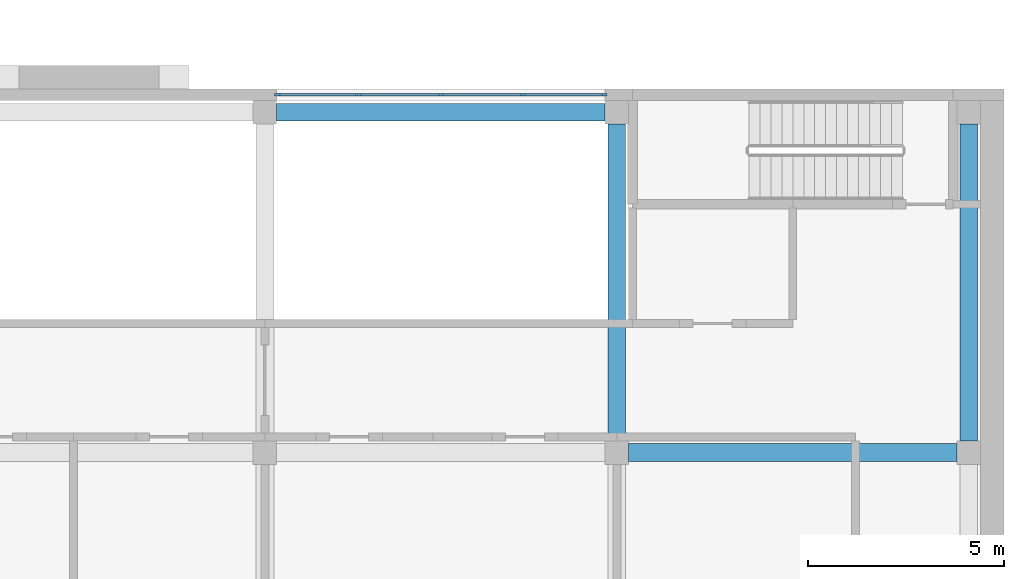
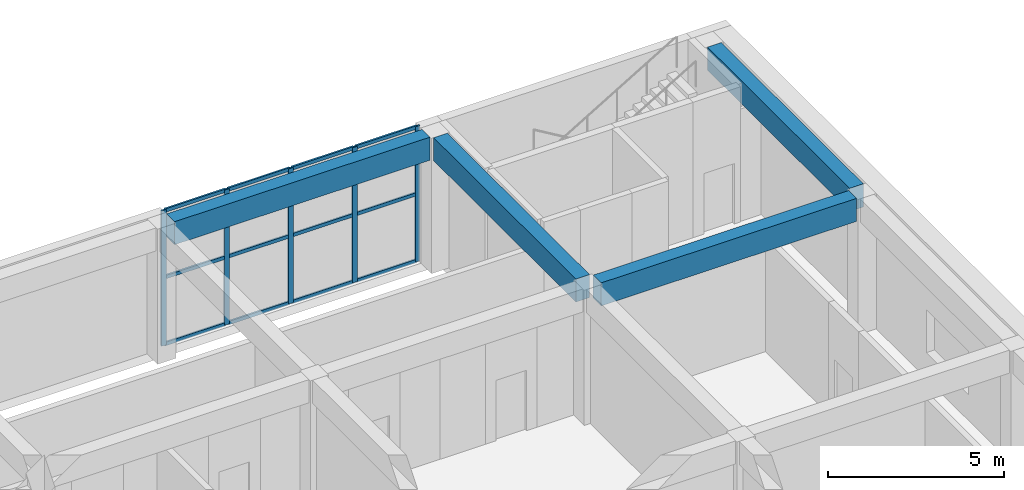
# One storey, part 7 of 25: 17 members, 4 beams, 1 element without a shape of its own.
"""IFC4 building model written with IfcOpenShell, lengths in metres."""

from ifc_helpers import new_model, si_unit, direction, frame, origin, origin_2d, place, context, subcontext, project, spatial, rectangle, extrude, material, material_profile, profile_set, type_object, element, aggregate, save


model = new_model("IFC4")

# Units and contexts
model_context = context("Model", 3, precision=1e-05, world=origin(), true_north=direction((0.0, 1.0)))
body_context = subcontext(model_context, "Body", "Model", "MODEL_VIEW")
ifc_project = project(units=[si_unit("LENGTHUNIT", "METRE"), si_unit("AREAUNIT", "SQUARE_METRE"), si_unit("VOLUMEUNIT", "CUBIC_METRE"), si_unit("PLANEANGLEUNIT", "RADIAN"), si_unit("MASSUNIT", "GRAM", prefix="KILO")], contexts=[model_context])

# Site, building, storey
site_placement = place(None, origin())
site = spatial("IfcSite", under=ifc_project, at=site_placement, CompositionType="ELEMENT")
building_placement = place(site_placement, origin())
building = spatial("IfcBuilding", under=site, at=building_placement, Name="Girih Gate Residences", CompositionType="ELEMENT")
storey_placement = place(building_placement, frame((0.0, 0.0, 6.0)))
storey = spatial("IfcBuildingStorey", under=building, at=storey_placement, Name="L01", CompositionType="ELEMENT", Elevation=6.0)

# Beams
ifc_material_1 = material(Name="Concrete C40/50", Category="concrete")
ifc_material_profile_1 = material_profile(ifc_material_1, rectangle(XDim=0.449951171875, YDim=0.800048828125, at=origin_2d()))
ifc_profile_set_1 = profile_set([ifc_material_profile_1], Name="Concrete C40/50")
beam_type = type_object("IfcBeamType", Name="HC Beam 450x800 C40/50", PredefinedType="BEAM", material=ifc_profile_set_1)
for number, where, z_axis, x_axis, name in (
    (1, (80.75, 35.699951171875, 4.300048828125), (1.0, 0.0, 0.0), (0.0, 1.0, 0.0), "L01 beam HD.4"),
    (2, (71.75, 44.39990234375, 4.300048828125), (1.0, 0.0, 0.0), (0.0, 1.0, 0.0), "L01 beam HE.3"),
):
    element("IfcBeam", number, at=place(storey_placement, frame(where, z_axis=z_axis, x_axis=x_axis)), inside=storey, type_object=beam_type, Name=name, PredefinedType="BEAM", context=body_context, shape_type="SweptSolid", body=[
        extrude(rectangle(XDim=0.449951171875, YDim=0.800048828125, at=origin_2d()), origin(), (0.0, 0.0, 1.0), 8.39990234375),
    ])
for number, where, z_axis, x_axis, name in (
    (3, (80.449951171875, 36.0, 4.300048828125), (0.0, 1.0, 0.0), (-1.0, 0.0, 0.0), "L01 beam H4.4"),
    (4, (89.449951171875, 36.0, 4.300048828125), (0.0, 1.0, 0.0), (-1.0, 0.0, 0.0), "L01 beam H5.4"),
):
    element("IfcBeam", number, at=place(storey_placement, frame(where, z_axis=z_axis, x_axis=x_axis)), inside=storey, type_object=beam_type, Name=name, PredefinedType="BEAM", context=body_context, shape_type="SweptSolid", body=[
        extrude(rectangle(XDim=0.449951171875, YDim=0.800048828125, at=origin_2d()), origin(), (0.0, 0.0, 1.0), 8.10009765625),
    ])

# Curtain wall, members
ifc_material_2 = material(Name="Aluminium curtain wall", Category="aluminium")
curtain_wall_type = type_object("IfcCurtainWallType", Name="HC CW-5 curtain wall", PredefinedType="NOTDEFINED", material=ifc_material_2)
curtain_wall_placement = place(storey_placement, origin())
curtain_wall = element("IfcCurtainWall", 5, at=curtain_wall_placement, inside=storey, type_object=curtain_wall_type, Name="L01 Health Hall curtain wall", PredefinedType="NOTDEFINED")
ifc_material_3 = material(Name="Aluminium", Category="aluminium")
ifc_material_profile_2 = material_profile(ifc_material_3, rectangle(XDim=0.06005859375, YDim=0.159912109375, at=origin_2d()))
ifc_profile_set_2 = profile_set([ifc_material_profile_2], Name="Aluminium")
member_type_1 = type_object("IfcMemberType", Name="HC CW-5 mullion 60x160", PredefinedType="MULLION", material=ifc_profile_set_2)
member_1_placement = place(storey_placement, frame((71.780029296875, 44.85009765625, 0.0), z_axis=(0.0, 0.0, 1.0), x_axis=(0.0, 1.0, 0.0)))
member_1 = element("IfcMember", 6, at=member_1_placement, type_object=member_type_1, Name="CW-5 mullion 1", PredefinedType="MULLION", context=body_context, shape_type="SweptSolid", body=[
    extrude(rectangle(XDim=0.06005859375, YDim=0.159912109375, at=origin_2d()), origin(), (0.0, 0.0, 1.0), 4.699951171875),
])
member_2_placement = place(storey_placement, frame((73.85009765625, 44.85009765625, 0.0), z_axis=(0.0, 0.0, 1.0), x_axis=(0.0, 1.0, 0.0)))
member_2 = element("IfcMember", 7, at=member_2_placement, type_object=member_type_1, Name="CW-5 mullion 2", PredefinedType="MULLION", context=body_context, shape_type="SweptSolid", body=[
    extrude(rectangle(XDim=0.06005859375, YDim=0.159912109375, at=origin_2d()), origin(), (0.0, 0.0, 1.0), 4.699951171875),
])
member_3_placement = place(storey_placement, frame((75.949951171875, 44.85009765625, 0.0), z_axis=(0.0, 0.0, 1.0), x_axis=(0.0, 1.0, 0.0)))
member_3 = element("IfcMember", 8, at=member_3_placement, type_object=member_type_1, Name="CW-5 mullion 3", PredefinedType="MULLION", context=body_context, shape_type="SweptSolid", body=[
    extrude(rectangle(XDim=0.06005859375, YDim=0.159912109375, at=origin_2d()), origin(), (0.0, 0.0, 1.0), 4.699951171875),
])
member_4_placement = place(storey_placement, frame((78.050048828125, 44.85009765625, 0.0), z_axis=(0.0, 0.0, 1.0), x_axis=(0.0, 1.0, 0.0)))
member_4 = element("IfcMember", 9, at=member_4_placement, type_object=member_type_1, Name="CW-5 mullion 4", PredefinedType="MULLION", context=body_context, shape_type="SweptSolid", body=[
    extrude(rectangle(XDim=0.06005859375, YDim=0.159912109375, at=origin_2d()), origin(), (0.0, 0.0, 1.0), 4.699951171875),
])
member_5_placement = place(storey_placement, frame((80.1201171875, 44.85009765625, 0.0), z_axis=(0.0, 0.0, 1.0), x_axis=(0.0, 1.0, 0.0)))
member_5 = element("IfcMember", 10, at=member_5_placement, type_object=member_type_1, Name="CW-5 mullion 5", PredefinedType="MULLION", context=body_context, shape_type="SweptSolid", body=[
    extrude(rectangle(XDim=0.06005859375, YDim=0.159912109375, at=origin_2d()), origin(), (0.0, 0.0, 1.0), 4.699951171875),
])
ifc_material_profile_3 = material_profile(ifc_material_3, rectangle(XDim=0.06005859375, YDim=0.1201171875, at=origin_2d()))
ifc_profile_set_3 = profile_set([ifc_material_profile_3], Name="Aluminium")
member_type_2 = type_object("IfcMemberType", Name="HC CW-5 transom 60x120", PredefinedType="USERDEFINED", material=ifc_profile_set_3)
member_6_placement = place(storey_placement, frame((71.81005859375, 44.85009765625, 0.030029296875), z_axis=(1.0, 0.0, 0.0), x_axis=(0.0, 1.0, 0.0)))
member_6 = element("IfcMember", 11, at=member_6_placement, type_object=member_type_2, Name="CW-5 transom 1.1", ObjectType="TRANSOM", PredefinedType="USERDEFINED", context=body_context, shape_type="SweptSolid", body=[
    extrude(rectangle(XDim=0.06005859375, YDim=0.1201171875, at=origin_2d()), origin(), (0.0, 0.0, 1.0), 2.010009765625),
])
member_7_placement = place(storey_placement, frame((71.81005859375, 44.85009765625, 2.35009765625), z_axis=(1.0, 0.0, 0.0), x_axis=(0.0, 1.0, 0.0)))
member_7 = element("IfcMember", 12, at=member_7_placement, type_object=member_type_2, Name="CW-5 transom 1.2", ObjectType="TRANSOM", PredefinedType="USERDEFINED", context=body_context, shape_type="SweptSolid", body=[
    extrude(rectangle(XDim=0.06005859375, YDim=0.1201171875, at=origin_2d()), origin(), (0.0, 0.0, 1.0), 2.010009765625),
])
member_8_placement = place(storey_placement, frame((71.81005859375, 44.85009765625, 4.669921875), z_axis=(1.0, 0.0, 0.0), x_axis=(0.0, 1.0, 0.0)))
member_8 = element("IfcMember", 13, at=member_8_placement, type_object=member_type_2, Name="CW-5 transom 1.3", ObjectType="TRANSOM", PredefinedType="USERDEFINED", context=body_context, shape_type="SweptSolid", body=[
    extrude(rectangle(XDim=0.06005859375, YDim=0.1201171875, at=origin_2d()), origin(), (0.0, 0.0, 1.0), 2.010009765625),
])
member_9_placement = place(storey_placement, frame((73.8798828125, 44.85009765625, 0.030029296875), z_axis=(1.0, 0.0, 0.0), x_axis=(0.0, 1.0, 0.0)))
member_9 = element("IfcMember", 14, at=member_9_placement, type_object=member_type_2, Name="CW-5 transom 2.1", ObjectType="TRANSOM", PredefinedType="USERDEFINED", context=body_context, shape_type="SweptSolid", body=[
    extrude(rectangle(XDim=0.06005859375, YDim=0.1201171875, at=origin_2d()), origin(), (0.0, 0.0, 1.0), 2.0400390625),
])
member_10_placement = place(storey_placement, frame((73.8798828125, 44.85009765625, 2.35009765625), z_axis=(1.0, 0.0, 0.0), x_axis=(0.0, 1.0, 0.0)))
member_10 = element("IfcMember", 15, at=member_10_placement, type_object=member_type_2, Name="CW-5 transom 2.2", ObjectType="TRANSOM", PredefinedType="USERDEFINED", context=body_context, shape_type="SweptSolid", body=[
    extrude(rectangle(XDim=0.06005859375, YDim=0.1201171875, at=origin_2d()), origin(), (0.0, 0.0, 1.0), 2.0400390625),
])
member_11_placement = place(storey_placement, frame((73.8798828125, 44.85009765625, 4.669921875), z_axis=(1.0, 0.0, 0.0), x_axis=(0.0, 1.0, 0.0)))
member_11 = element("IfcMember", 16, at=member_11_placement, type_object=member_type_2, Name="CW-5 transom 2.3", ObjectType="TRANSOM", PredefinedType="USERDEFINED", context=body_context, shape_type="SweptSolid", body=[
    extrude(rectangle(XDim=0.06005859375, YDim=0.1201171875, at=origin_2d()), origin(), (0.0, 0.0, 1.0), 2.0400390625),
])
member_12_placement = place(storey_placement, frame((75.97998046875, 44.85009765625, 0.030029296875), z_axis=(1.0, 0.0, 0.0), x_axis=(0.0, 1.0, 0.0)))
member_12 = element("IfcMember", 17, at=member_12_placement, type_object=member_type_2, Name="CW-5 transom 3.1", ObjectType="TRANSOM", PredefinedType="USERDEFINED", context=body_context, shape_type="SweptSolid", body=[
    extrude(rectangle(XDim=0.06005859375, YDim=0.1201171875, at=origin_2d()), origin(), (0.0, 0.0, 1.0), 2.0400390625),
])
member_13_placement = place(storey_placement, frame((75.97998046875, 44.85009765625, 2.35009765625), z_axis=(1.0, 0.0, 0.0), x_axis=(0.0, 1.0, 0.0)))
member_13 = element("IfcMember", 18, at=member_13_placement, type_object=member_type_2, Name="CW-5 transom 3.2", ObjectType="TRANSOM", PredefinedType="USERDEFINED", context=body_context, shape_type="SweptSolid", body=[
    extrude(rectangle(XDim=0.06005859375, YDim=0.1201171875, at=origin_2d()), origin(), (0.0, 0.0, 1.0), 2.0400390625),
])
member_14_placement = place(storey_placement, frame((75.97998046875, 44.85009765625, 4.669921875), z_axis=(1.0, 0.0, 0.0), x_axis=(0.0, 1.0, 0.0)))
member_14 = element("IfcMember", 19, at=member_14_placement, type_object=member_type_2, Name="CW-5 transom 3.3", ObjectType="TRANSOM", PredefinedType="USERDEFINED", context=body_context, shape_type="SweptSolid", body=[
    extrude(rectangle(XDim=0.06005859375, YDim=0.1201171875, at=origin_2d()), origin(), (0.0, 0.0, 1.0), 2.0400390625),
])
member_15_placement = place(storey_placement, frame((78.080078125, 44.85009765625, 0.030029296875), z_axis=(1.0, 0.0, 0.0), x_axis=(0.0, 1.0, 0.0)))
member_15 = element("IfcMember", 20, at=member_15_placement, type_object=member_type_2, Name="CW-5 transom 4.1", ObjectType="TRANSOM", PredefinedType="USERDEFINED", context=body_context, shape_type="SweptSolid", body=[
    extrude(rectangle(XDim=0.06005859375, YDim=0.1201171875, at=origin_2d()), origin(), (0.0, 0.0, 1.0), 2.010009765625),
])
member_16_placement = place(storey_placement, frame((78.080078125, 44.85009765625, 2.35009765625), z_axis=(1.0, 0.0, 0.0), x_axis=(0.0, 1.0, 0.0)))
member_16 = element("IfcMember", 21, at=member_16_placement, type_object=member_type_2, Name="CW-5 transom 4.2", ObjectType="TRANSOM", PredefinedType="USERDEFINED", context=body_context, shape_type="SweptSolid", body=[
    extrude(rectangle(XDim=0.06005859375, YDim=0.1201171875, at=origin_2d()), origin(), (0.0, 0.0, 1.0), 2.010009765625),
])
member_17_placement = place(storey_placement, frame((78.080078125, 44.85009765625, 4.669921875), z_axis=(1.0, 0.0, 0.0), x_axis=(0.0, 1.0, 0.0)))
member_17 = element("IfcMember", 22, at=member_17_placement, type_object=member_type_2, Name="CW-5 transom 4.3", ObjectType="TRANSOM", PredefinedType="USERDEFINED", context=body_context, shape_type="SweptSolid", body=[
    extrude(rectangle(XDim=0.06005859375, YDim=0.1201171875, at=origin_2d()), origin(), (0.0, 0.0, 1.0), 2.010009765625),
])
aggregate(curtain_wall, [member_1, member_2, member_3, member_4, member_5, member_6, member_7, member_8, member_9, member_10, member_11, member_12, member_13, member_14, member_15, member_16, member_17])

save(model, "model.ifc")
